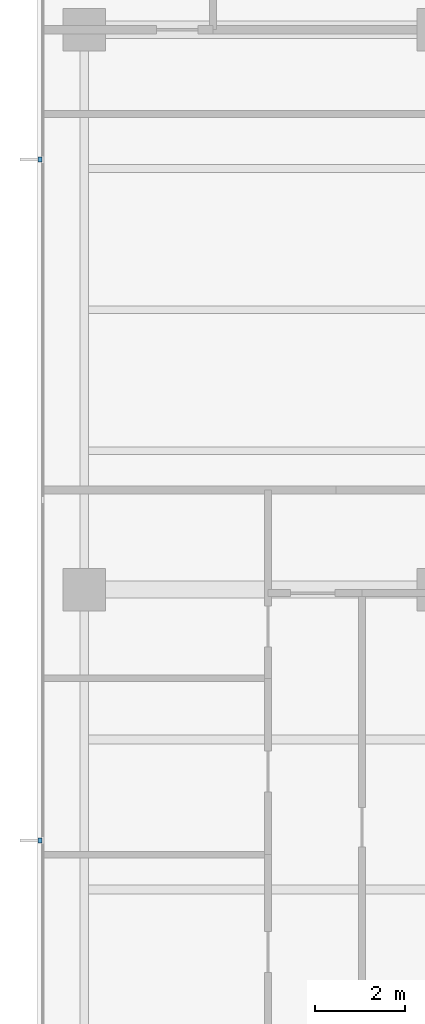
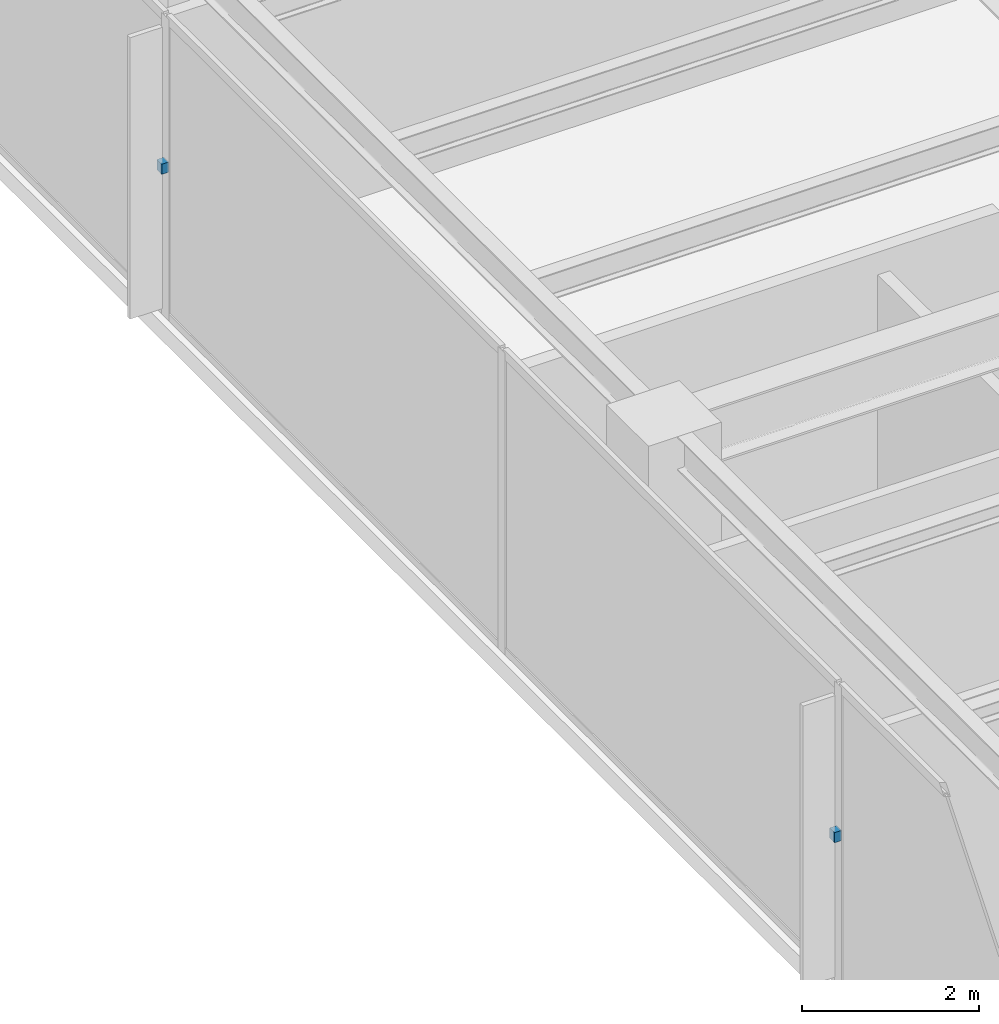
# One storey, part 10 of 14: 2 discrete accessories.
"""IFC4 building model written with IfcOpenShell, lengths in metres."""

from ifc_helpers import new_model, si_unit, direction, frame, origin, place, context, subcontext, project, spatial, polyline, outline, extrude, material, type_object, element, save


model = new_model("IFC4")

# Units and contexts
model_context = context("Model", 3, precision=1e-05, world=origin(), true_north=direction((0.0, 1.0)))
body_context = subcontext(model_context, "Body", "Model", "MODEL_VIEW")
ifc_project = project(units=[si_unit("LENGTHUNIT", "METRE"), si_unit("AREAUNIT", "SQUARE_METRE"), si_unit("VOLUMEUNIT", "CUBIC_METRE"), si_unit("PLANEANGLEUNIT", "RADIAN"), si_unit("MASSUNIT", "GRAM", prefix="KILO")], contexts=[model_context])

# Site, building, storey
site_placement = place(None, origin())
site = spatial("IfcSite", under=ifc_project, at=site_placement, CompositionType="ELEMENT")
building_placement = place(site_placement, origin())
building = spatial("IfcBuilding", under=site, at=building_placement, Name="Qalmaran Belvedere Hotel", CompositionType="ELEMENT")
storey_placement = place(building_placement, frame((0.0, 0.0, 192.5)))
storey = spatial("IfcBuildingStorey", under=building, at=storey_placement, Name="L48", CompositionType="ELEMENT", Elevation=192.5)

# Discrete accessories
ifc_material = material(Name="Stainless Steel 1.4401", Category="steel")
discrete_accessory_type = type_object("IfcDiscreteAccessoryType", Name="BRK-FIN-SS316", PredefinedType="BRACKET", material=ifc_material)
discrete_accessory_1_placement = place(storey_placement, frame((0.0, 0.0, 2.030029296875)))
element("IfcDiscreteAccessory", 1, at=discrete_accessory_1_placement, inside=storey, type_object=discrete_accessory_type, Name="L48 Fin Bracket 1", PredefinedType="BRACKET", context=body_context, shape_type="SweptSolid", body=[
    extrude(outline(polyline([(11.455078125, 30.155029296875), (11.362548828125, 30.155029296875), (11.362548828125, 30.044921875), (11.455078125, 30.044921875), (11.455078125, 30.155029296875)])), origin(), (0.0, 0.0, 1.0), 0.139892578125),
])
discrete_accessory_2_placement = place(storey_placement, frame((0.0, 0.0, 2.030029296875)))
element("IfcDiscreteAccessory", 2, at=discrete_accessory_2_placement, inside=storey, type_object=discrete_accessory_type, Name="L48 Fin Bracket 3", PredefinedType="BRACKET", context=body_context, shape_type="SweptSolid", body=[
    extrude(outline(polyline([(11.455078125, 14.955078125), (11.362548828125, 14.955078125), (11.362548828125, 14.844970703125), (11.455078125, 14.844970703125), (11.455078125, 14.955078125)])), origin(), (0.0, 0.0, 1.0), 0.139892578125),
])

save(model, "model.ifc")
